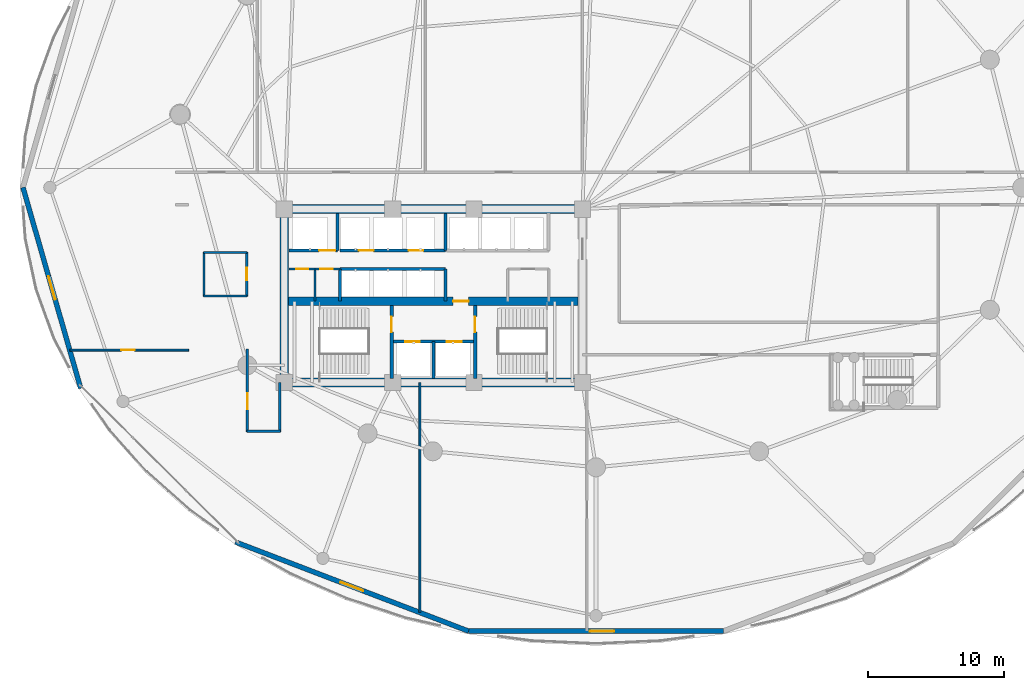
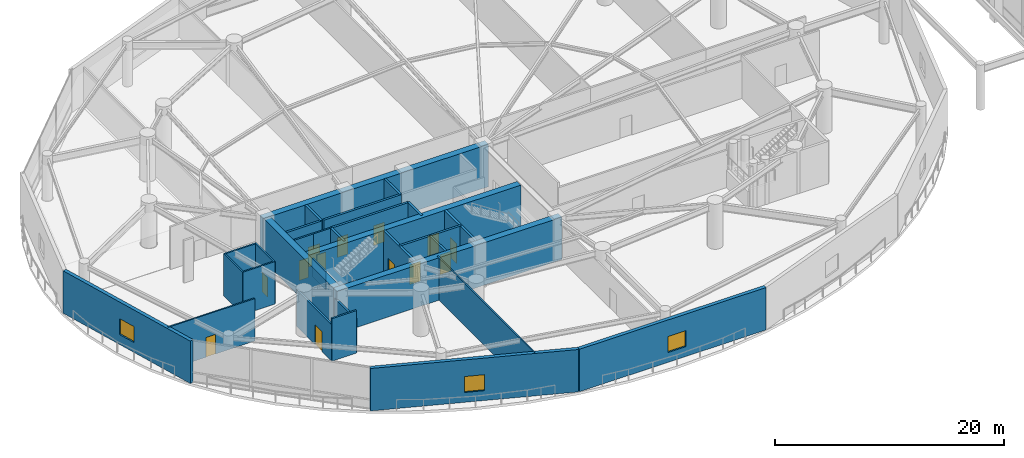
# One storey, part 27 of 40: 30 walls, 13 doors, 3 windows, 16 openings.
"""IFC4 building model written with IfcOpenShell, lengths in metres."""

from ifc_helpers import new_model, si_unit, direction, frame, frame_2d, origin, place, context, subcontext, project, spatial, rectangle, extrude, material, layer, layer_set, type_object, element, fill, save


model = new_model("IFC4")

# Units and contexts
model_context = context("Model", 3, precision=1e-05, world=origin(), true_north=direction((0.0, 1.0)))
body_context = subcontext(model_context, "Body", "Model", "MODEL_VIEW")
ifc_project = project(units=[si_unit("LENGTHUNIT", "METRE"), si_unit("AREAUNIT", "SQUARE_METRE"), si_unit("VOLUMEUNIT", "CUBIC_METRE"), si_unit("PLANEANGLEUNIT", "RADIAN"), si_unit("MASSUNIT", "GRAM", prefix="KILO")], contexts=[model_context])

# Site, building, storey
site_placement = place(None, origin())
site = spatial("IfcSite", under=ifc_project, at=site_placement, CompositionType="ELEMENT")
building_placement = place(site_placement, origin())
building = spatial("IfcBuilding", under=site, at=building_placement, Name="Kazevale Care Tower and Concert Hall", CompositionType="ELEMENT")
storey_placement = place(building_placement, frame((0.0, 0.0, 9.60009765625)))
storey = spatial("IfcBuildingStorey", under=building, at=storey_placement, Name="L02", CompositionType="ELEMENT", Elevation=9.60009765625)

# Wall, opening, door
ifc_material_1 = material(Name="Acoustic Gypsum on Steel Stud", Category="steel")
ifc_layer_1 = layer(ifc_material_1, 0.139892578125)
ifc_layer_set_1 = layer_set([ifc_layer_1], Name="Acoustic Gypsum on Steel Stud")
wall_type_1 = type_object("IfcWallType", Name="Acoustic Care & Suite Partition 140", PredefinedType="PARTITIONING", material=ifc_layer_set_1)
wall_1_placement = place(storey_placement, frame((6.1787109375, 26.0, 0.0), z_axis=(0.0, 0.0, 1.0), x_axis=(1.0, 0.0, 0.0)))
wall_1 = element("IfcWall", 1, at=wall_1_placement, inside=storey, type_object=wall_type_1, Name="wall:L02:auto_024", PredefinedType="PARTITIONING", context=body_context, shape_type="SweptSolid", body=[
    extrude(rectangle(XDim=8.76123046875, YDim=0.139892578125, at=frame_2d((4.380615234375, 0.0))), origin(), (0.0, 0.0, 1.0), 4.52001953125),
])
opening_1_placement = place(wall_1_placement, frame((3.800048828125, 0.0, 0.0)))
opening_1 = element("IfcOpeningElement", 2, at=opening_1_placement, cuts=wall_1, Name="Opening ID-1000", PredefinedType="OPENING", context=body_context, shape_type="SweptSolid", body=[
    extrude(rectangle(XDim=1.0, YDim=2.10009765625, at=frame_2d((0.5, 1.050048828125))), frame((0.0, 0.079833984375, 0.0), z_axis=(0.0, -1.0, 0.0), x_axis=(1.0, 0.0, 0.0)), (0.0, 0.0, 1.0), 0.159912109375),
])
ifc_material_2 = material(Name="Oak Timber Fire Leaf", Category="wood")
door_type_1 = type_object("IfcDoorType", Name="Suite & Room Door 1000x2100", OperationType="NOTDEFINED", PredefinedType="DOOR", material=ifc_material_2)
door_1_placement = place(opening_1_placement, origin())
door_1 = element("IfcDoor", 3, at=door_1_placement, inside=storey, type_object=door_type_1, Name="door:L02:ad_024", OperationType="SINGLE_SWING_LEFT", OverallHeight=2.10009765625, OverallWidth=1.0, PredefinedType="DOOR", context=body_context, shape_type="SweptSolid", body=[
    extrude(rectangle(XDim=1.0, YDim=2.10009765625, at=frame_2d((0.5, 1.050048828125))), frame((0.0, 0.02490234375, 0.0), z_axis=(0.0, -1.0, 0.0), x_axis=(1.0, 0.0, 0.0)), (0.0, 0.0, 1.0), 0.050048828125),
])
fill(opening_1, door_1)

# Walls
wall_2_placement = place(storey_placement, frame((32.0, 23.590087890625, 0.0), z_axis=(0.0, 0.0, 1.0), x_axis=(0.0, -1.0, 0.0)))
element("IfcWall", 4, at=wall_2_placement, inside=storey, type_object=wall_type_1, Name="wall:L02:auto_025", PredefinedType="PARTITIONING", context=body_context, shape_type="SweptSolid", body=[
    extrude(rectangle(XDim=16.9443359375, YDim=0.139892578125, at=frame_2d((8.47216796875, 0.0))), origin(), (0.0, 0.0, 1.0), 4.52001953125),
])
ifc_material_3 = material(Name="Concrete C70", Category="concrete")
ifc_layer_2 = layer(ifc_material_3, 0.64990234375)
ifc_layer_set_2 = layer_set([ifc_layer_2], Name="Concrete C70")
wall_type_2 = type_object("IfcWallType", Name="Core Shear Wall 650 C70", PredefinedType="SHEAR", material=ifc_layer_set_2)
for number, where, z_axis, x_axis, name in (
    (5, (21.675048828125, 23.60009765625, 0.0), (0.0, 0.0, 1.0), (1.0, 0.0, 0.0), "wall:L02:core:S"),
    (6, (21.675048828125, 36.39990234375, 0.0), (0.0, 0.0, 1.0), (1.0, 0.0, 0.0), "wall:L02:core:N"),
):
    element("IfcWall", number, at=place(storey_placement, frame(where, z_axis=z_axis, x_axis=x_axis)), inside=storey, type_object=wall_type_2, Name=name, PredefinedType="SHEAR", context=body_context, shape_type="SweptSolid", body=[
        extrude(rectangle(XDim=22.64990234375, YDim=0.64990234375, at=frame_2d((11.324951171875, 0.0))), origin(), (0.0, 0.0, 1.0), 4.52001953125),
    ])
wall_3_placement = place(storey_placement, frame((22.0, 23.925048828125, 0.0), z_axis=(0.0, 0.0, 1.0), x_axis=(0.0, 1.0, 0.0)))
element("IfcWall", 7, at=wall_3_placement, inside=storey, type_object=wall_type_2, Name="wall:L02:core:W", PredefinedType="SHEAR", context=body_context, shape_type="SweptSolid", body=[
    extrude(rectangle(XDim=12.14990234375, YDim=0.64990234375, at=frame_2d((6.074951171875, 0.0))), origin(), (0.0, 0.0, 1.0), 4.52001953125),
])

# Wall, opening, door
wall_4_placement = place(storey_placement, frame((22.324951171875, 29.60009765625, 0.0), z_axis=(0.0, 0.0, 1.0), x_axis=(1.0, 0.0, 0.0)))
wall_4 = element("IfcWall", 8, at=wall_4_placement, inside=storey, type_object=wall_type_2, Name="wall:L02:core:M", PredefinedType="SHEAR", context=body_context, shape_type="SweptSolid", body=[
    extrude(rectangle(XDim=21.35009765625, YDim=0.64990234375, at=frame_2d((10.675048828125, 0.0))), origin(), (0.0, 0.0, 1.0), 4.52001953125),
])
opening_2_placement = place(wall_4_placement, frame((12.125, 0.0, 0.0)))
opening_2 = element("IfcOpeningElement", 9, at=opening_2_placement, cuts=wall_4, Name="Opening FD-90", PredefinedType="OPENING", context=body_context, shape_type="SweptSolid", body=[
    extrude(rectangle(XDim=1.14990234375, YDim=2.10009765625, at=frame_2d((0.574951171875, 1.050048828125))), frame((0.0, 0.3349609375, 0.0), z_axis=(0.0, -1.0, 0.0), x_axis=(1.0, 0.0, 0.0)), (0.0, 0.0, 1.0), 0.669921875),
])
ifc_material_4 = material(Name="Steel ASTM A572 Gr 50", Category="steel")
door_type_2 = type_object("IfcDoorType", Name="Pressurized Stair & Lobby Fire Door 1150x2100", OperationType="NOTDEFINED", PredefinedType="DOOR", material=ifc_material_4)
door_2_placement = place(opening_2_placement, origin())
door_2 = element("IfcDoor", 10, at=door_2_placement, inside=storey, type_object=door_type_2, Name="door:L02:ff_to_pax", OperationType="SINGLE_SWING_LEFT", OverallHeight=2.10009765625, OverallWidth=1.14990234375, PredefinedType="DOOR", context=body_context, shape_type="SweptSolid", body=[
    extrude(rectangle(XDim=1.14990234375, YDim=2.10009765625, at=frame_2d((0.574951171875, 1.050048828125))), frame((0.0, 0.02490234375, 0.0), z_axis=(0.0, -1.0, 0.0), x_axis=(1.0, 0.0, 0.0)), (0.0, 0.0, 1.0), 0.050048828125),
])
fill(opening_2, door_2)

# Wall, openings, doors
ifc_material_5 = material(Name="Concrete C40", Category="concrete")
ifc_layer_3 = layer(ifc_material_5, 0.219970703125)
ifc_layer_set_3 = layer_set([ifc_layer_3], Name="Concrete C40")
wall_type_3 = type_object("IfcWallType", Name="Elevator Hoistway Shaft Wall 220", PredefinedType="SOLIDWALL", material=ifc_layer_set_3)
wall_5_placement = place(storey_placement, frame((29.919921875, 26.6201171875, 0.0), z_axis=(0.0, 0.0, 1.0), x_axis=(1.0, 0.0, 0.0)))
wall_5 = element("IfcWall", 11, at=wall_5_placement, inside=storey, type_object=wall_type_3, Name="wall:L02:c_ffl_n", PredefinedType="SOLIDWALL", context=body_context, shape_type="SweptSolid", body=[
    extrude(rectangle(XDim=6.16015625, YDim=0.219970703125, at=frame_2d((3.080078125, 0.0))), origin(), (0.0, 0.0, 1.0), 4.52001953125),
])
opening_3_placement = place(wall_5_placement, frame((0.989990234375, 0.0, 0.0)))
opening_3 = element("IfcOpeningElement", 12, at=opening_3_placement, cuts=wall_5, Name="Opening LD-FF", PredefinedType="OPENING", context=body_context, shape_type="SweptSolid", body=[
    extrude(rectangle(XDim=1.10009765625, YDim=2.10009765625, at=frame_2d((0.550048828125, 1.050048828125))), frame((0.0, 0.119873046875, 0.0), z_axis=(0.0, -1.0, 0.0), x_axis=(1.0, 0.0, 0.0)), (0.0, 0.0, 1.0), 0.239990234375),
])
opening_4_placement = place(wall_5_placement, frame((4.070068359375, 0.0, 0.0)))
opening_4 = element("IfcOpeningElement", 13, at=opening_4_placement, cuts=wall_5, Name="Opening LD-FF", PredefinedType="OPENING", context=body_context, shape_type="SweptSolid", body=[
    extrude(rectangle(XDim=1.10009765625, YDim=2.10009765625, at=frame_2d((0.550048828125, 1.050048828125))), frame((0.0, 0.119873046875, 0.0), z_axis=(0.0, -1.0, 0.0), x_axis=(1.0, 0.0, 0.0)), (0.0, 0.0, 1.0), 0.239990234375),
])
ifc_material_6 = material(Name="Stainless Steel 316", Category="steel")
door_type_3 = type_object("IfcDoorType", Name="Emergency Lift Sliding Landing Door 1100x2100", OperationType="NOTDEFINED", PredefinedType="DOOR", material=ifc_material_6)
door_3_placement = place(opening_3_placement, origin())
door_3 = element("IfcDoor", 14, at=door_3_placement, inside=storey, type_object=door_type_3, Name="door:L02:ld_ffl1", OperationType="SLIDING_TO_LEFT", OverallHeight=2.10009765625, OverallWidth=1.10009765625, PredefinedType="DOOR", context=body_context, shape_type="SweptSolid", body=[
    extrude(rectangle(XDim=1.10009765625, YDim=2.10009765625, at=frame_2d((0.550048828125, 1.050048828125))), frame((0.0, 0.02490234375, 0.0), z_axis=(0.0, -1.0, 0.0), x_axis=(1.0, 0.0, 0.0)), (0.0, 0.0, 1.0), 0.050048828125),
])
fill(opening_3, door_3)
door_4_placement = place(opening_4_placement, origin())
door_4 = element("IfcDoor", 15, at=door_4_placement, inside=storey, type_object=door_type_3, Name="door:L02:ld_ffl2", OperationType="SLIDING_TO_RIGHT", OverallHeight=2.10009765625, OverallWidth=1.10009765625, PredefinedType="DOOR", context=body_context, shape_type="SweptSolid", body=[
    extrude(rectangle(XDim=1.10009765625, YDim=2.10009765625, at=frame_2d((0.550048828125, 1.050048828125))), frame((0.0, 0.02490234375, 0.0), z_axis=(0.0, -1.0, 0.0), x_axis=(1.0, 0.0, 0.0)), (0.0, 0.0, 1.0), 0.050048828125),
])
fill(opening_4, door_4)

# Walls
wall_6_placement = place(storey_placement, frame((33.0, 23.89990234375, 0.0), z_axis=(0.0, 0.0, 1.0), x_axis=(0.0, 1.0, 0.0)))
element("IfcWall", 16, at=wall_6_placement, inside=storey, type_object=wall_type_3, Name="wall:L02:c_ffl_m", PredefinedType="SOLIDWALL", context=body_context, shape_type="SweptSolid", body=[
    extrude(rectangle(XDim=2.72021484375, YDim=0.219970703125, at=frame_2d((1.360107421875, 0.0))), origin(), (0.0, 0.0, 1.0), 4.52001953125),
])
wall_7_placement = place(storey_placement, frame((25.919921875, 33.35009765625, 0.0), z_axis=(0.0, 0.0, 1.0), x_axis=(0.0, 1.0, 0.0)))
element("IfcWall", 17, at=wall_7_placement, inside=storey, type_object=wall_type_3, Name="wall:L02:c_svl_e", PredefinedType="SOLIDWALL", context=body_context, shape_type="SweptSolid", body=[
    extrude(rectangle(XDim=2.72998046875, YDim=0.219970703125, at=frame_2d((1.364990234375, 0.0))), origin(), (0.0, 0.0, 1.0), 4.52001953125),
])

# Wall, opening, door
wall_8_placement = place(storey_placement, frame((22.35009765625, 33.35009765625, 0.0), z_axis=(0.0, 0.0, 1.0), x_axis=(1.0, 0.0, 0.0)))
wall_8 = element("IfcWall", 18, at=wall_8_placement, inside=storey, type_object=wall_type_3, Name="wall:L02:c_svl_s", PredefinedType="SOLIDWALL", context=body_context, shape_type="SweptSolid", body=[
    extrude(rectangle(XDim=3.56982421875, YDim=0.219970703125, at=frame_2d((1.784912109375, 0.0))), origin(), (0.0, 0.0, 1.0), 4.52001953125),
])
opening_5_placement = place(wall_8_placement, frame((2.212890625, 0.0, 0.0)))
opening_5 = element("IfcOpeningElement", 19, at=opening_5_placement, cuts=wall_8, Name="Opening LD-SV", PredefinedType="OPENING", context=body_context, shape_type="SweptSolid", body=[
    extrude(rectangle(XDim=1.199951171875, YDim=2.10009765625, at=frame_2d((0.60009765625, 1.050048828125))), frame((0.0, 0.119873046875, 0.0), z_axis=(0.0, -1.0, 0.0), x_axis=(1.0, 0.0, 0.0)), (0.0, 0.0, 1.0), 0.239990234375),
])
door_type_4 = type_object("IfcDoorType", Name="Service Lift Sliding Landing Door 1200x2100", OperationType="NOTDEFINED", PredefinedType="DOOR", material=ifc_material_6)
door_5_placement = place(opening_5_placement, origin())
door_5 = element("IfcDoor", 20, at=door_5_placement, inside=storey, type_object=door_type_4, Name="door:L02:ld_svl1", OperationType="SLIDING_TO_LEFT", OverallHeight=2.10009765625, OverallWidth=1.199951171875, PredefinedType="DOOR", context=body_context, shape_type="SweptSolid", body=[
    extrude(rectangle(XDim=1.199951171875, YDim=2.10009765625, at=frame_2d((0.60009765625, 1.050048828125))), frame((0.0, 0.02490234375, 0.0), z_axis=(0.0, -1.0, 0.0), x_axis=(1.0, 0.0, 0.0)), (0.0, 0.0, 1.0), 0.050048828125),
])
fill(opening_5, door_5)

# Walls
wall_9_placement = place(storey_placement, frame((26.10009765625, 29.6201171875, 0.0), z_axis=(0.0, 0.0, 1.0), x_axis=(0.0, 1.0, 0.0)))
element("IfcWall", 21, at=wall_9_placement, inside=storey, type_object=wall_type_3, Name="wall:L02:c_ph_w", PredefinedType="SOLIDWALL", context=body_context, shape_type="SweptSolid", body=[
    extrude(rectangle(XDim=2.35986328125, YDim=0.219970703125, at=frame_2d((1.179931640625, 0.0))), origin(), (0.0, 0.0, 1.0), 4.52001953125),
])
wall_10_placement = place(storey_placement, frame((26.10009765625, 31.97998046875, 0.0), z_axis=(0.0, 0.0, 1.0), x_axis=(1.0, 0.0, 0.0)))
element("IfcWall", 22, at=wall_10_placement, inside=storey, type_object=wall_type_3, Name="wall:L02:c_ph_n", PredefinedType="SOLIDWALL", context=body_context, shape_type="SweptSolid", body=[
    extrude(rectangle(XDim=7.7998046875, YDim=0.219970703125, at=frame_2d((3.89990234375, 0.0))), origin(), (0.0, 0.0, 1.0), 4.52001953125),
])
wall_11_placement = place(storey_placement, frame((33.89990234375, 29.6201171875, 0.0), z_axis=(0.0, 0.0, 1.0), x_axis=(0.0, 1.0, 0.0)))
element("IfcWall", 23, at=wall_11_placement, inside=storey, type_object=wall_type_3, Name="wall:L02:c_ph_e", PredefinedType="SOLIDWALL", context=body_context, shape_type="SweptSolid", body=[
    extrude(rectangle(XDim=2.35986328125, YDim=0.219970703125, at=frame_2d((1.179931640625, 0.0))), origin(), (0.0, 0.0, 1.0), 4.52001953125),
])

# Wall, openings, doors
wall_12_placement = place(storey_placement, frame((26.10009765625, 33.35009765625, 0.0), z_axis=(0.0, 0.0, 1.0), x_axis=(1.0, 0.0, 0.0)))
wall_12 = element("IfcWall", 24, at=wall_12_placement, inside=storey, type_object=wall_type_3, Name="wall:L02:c_pl_s", PredefinedType="SOLIDWALL", context=body_context, shape_type="SweptSolid", body=[
    extrude(rectangle(XDim=7.7998046875, YDim=0.219970703125, at=frame_2d((3.89990234375, 0.0))), origin(), (0.0, 0.0, 1.0), 4.52001953125),
])
opening_6_placement = place(wall_12_placement, frame((1.39990234375, 0.0, 0.0)))
opening_6 = element("IfcOpeningElement", 25, at=opening_6_placement, cuts=wall_12, Name="Opening LD-PAX", PredefinedType="OPENING", context=body_context, shape_type="SweptSolid", body=[
    extrude(rectangle(XDim=1.10009765625, YDim=2.10009765625, at=frame_2d((0.550048828125, 1.050048828125))), frame((0.0, 0.119873046875, 0.0), z_axis=(0.0, -1.0, 0.0), x_axis=(1.0, 0.0, 0.0)), (0.0, 0.0, 1.0), 0.239990234375),
])
opening_7_placement = place(wall_12_placement, frame((5.06591796875, 0.0, 0.0)))
opening_7 = element("IfcOpeningElement", 26, at=opening_7_placement, cuts=wall_12, Name="Opening LD-PAX", PredefinedType="OPENING", context=body_context, shape_type="SweptSolid", body=[
    extrude(rectangle(XDim=1.10009765625, YDim=2.10009765625, at=frame_2d((0.550048828125, 1.050048828125))), frame((0.0, 0.119873046875, 0.0), z_axis=(0.0, -1.0, 0.0), x_axis=(1.0, 0.0, 0.0)), (0.0, 0.0, 1.0), 0.239990234375),
])
door_type_5 = type_object("IfcDoorType", Name="Passenger Lift Sliding Landing Door 1100x2100", OperationType="NOTDEFINED", PredefinedType="DOOR", material=ifc_material_6)
door_6_placement = place(opening_6_placement, origin())
door_6 = element("IfcDoor", 27, at=door_6_placement, inside=storey, type_object=door_type_5, Name="door:L02:ld_pl1", OperationType="SLIDING_TO_LEFT", OverallHeight=2.10009765625, OverallWidth=1.10009765625, PredefinedType="DOOR", context=body_context, shape_type="SweptSolid", body=[
    extrude(rectangle(XDim=1.10009765625, YDim=2.10009765625, at=frame_2d((0.550048828125, 1.050048828125))), frame((0.0, 0.02490234375, 0.0), z_axis=(0.0, -1.0, 0.0), x_axis=(1.0, 0.0, 0.0)), (0.0, 0.0, 1.0), 0.050048828125),
])
fill(opening_6, door_6)
door_7_placement = place(opening_7_placement, origin())
door_7 = element("IfcDoor", 28, at=door_7_placement, inside=storey, type_object=door_type_5, Name="door:L02:ld_pl2", OperationType="SLIDING_TO_RIGHT", OverallHeight=2.10009765625, OverallWidth=1.10009765625, PredefinedType="DOOR", context=body_context, shape_type="SweptSolid", body=[
    extrude(rectangle(XDim=1.10009765625, YDim=2.10009765625, at=frame_2d((0.550048828125, 1.050048828125))), frame((0.0, 0.02490234375, 0.0), z_axis=(0.0, -1.0, 0.0), x_axis=(1.0, 0.0, 0.0)), (0.0, 0.0, 1.0), 0.050048828125),
])
fill(opening_7, door_7)

# Wall
wall_13_placement = place(storey_placement, frame((33.89990234375, 33.35009765625, 0.0), z_axis=(0.0, 0.0, 1.0), x_axis=(0.0, 1.0, 0.0)))
element("IfcWall", 29, at=wall_13_placement, inside=storey, type_object=wall_type_3, Name="wall:L02:c_pl_e", PredefinedType="SOLIDWALL", context=body_context, shape_type="SweptSolid", body=[
    extrude(rectangle(XDim=2.72998046875, YDim=0.219970703125, at=frame_2d((1.364990234375, 0.0))), origin(), (0.0, 0.0, 1.0), 4.52001953125),
])

# Wall, opening, door
ifc_material_7 = material(Name="Concrete C40 and Acoustic Gypsum", Category="concrete")
ifc_layer_4 = layer(ifc_material_7, 0.179931640625)
ifc_layer_set_4 = layer_set([ifc_layer_4], Name="Concrete C40 and Acoustic Gypsum")
wall_type_4 = type_object("IfcWallType", Name="Fire-Rated Corridor & Party Wall 180", PredefinedType="PARTITIONING", material=ifc_layer_set_4)
wall_14_placement = place(storey_placement, frame((22.35009765625, 31.97998046875, 0.0), z_axis=(0.0, 0.0, 1.0), x_axis=(1.0, 0.0, 0.0)))
wall_14 = element("IfcWall", 30, at=wall_14_placement, inside=storey, type_object=wall_type_4, Name="wall:L02:kb_wn0", PredefinedType="PARTITIONING", context=body_context, shape_type="SweptSolid", body=[
    extrude(rectangle(XDim=1.909912109375, YDim=0.179931640625, at=frame_2d((0.955078125, 0.0))), origin(), (0.0, 0.0, 1.0), 4.52001953125),
])
opening_8_placement = place(wall_14_placement, frame((0.514892578125, 0.0, 0.0)))
opening_8 = element("IfcOpeningElement", 31, at=opening_8_placement, cuts=wall_14, Name="Opening ID-900", PredefinedType="OPENING", context=body_context, shape_type="SweptSolid", body=[
    extrude(rectangle(XDim=0.919921875, YDim=2.10009765625, at=frame_2d((0.4599609375, 1.050048828125))), frame((0.0, 0.099853515625, 0.0), z_axis=(0.0, -1.0, 0.0), x_axis=(1.0, 0.0, 0.0)), (0.0, 0.0, 1.0), 0.199951171875),
])
door_type_6 = type_object("IfcDoorType", Name="Bathroom & Service Door 920x2100", OperationType="NOTDEFINED", PredefinedType="DOOR", material=ifc_material_2)
door_8_placement = place(opening_8_placement, origin())
door_8 = element("IfcDoor", 32, at=door_8_placement, inside=storey, type_object=door_type_6, Name="door:L02:d_kbw1", OperationType="SINGLE_SWING_LEFT", OverallHeight=2.10009765625, OverallWidth=0.919921875, PredefinedType="DOOR", context=body_context, shape_type="SweptSolid", body=[
    extrude(rectangle(XDim=0.919921875, YDim=2.10009765625, at=frame_2d((0.4599609375, 1.050048828125))), frame((0.0, 0.02490234375, 0.0), z_axis=(0.0, -1.0, 0.0), x_axis=(1.0, 0.0, 0.0)), (0.0, 0.0, 1.0), 0.050048828125),
])
fill(opening_8, door_8)

wall_15_placement = place(storey_placement, frame((19.27490234375, 19.969970703125, 0.0), z_axis=(0.0, 0.0, 1.0), x_axis=(0.0, 1.0, 0.0)))
wall_15 = element("IfcWall", 33, at=wall_15_placement, inside=storey, type_object=wall_type_4, Name="wall:L02:auto_013", PredefinedType="PARTITIONING", context=body_context, shape_type="SweptSolid", body=[
    extrude(rectangle(XDim=6.094970703125, YDim=0.179931640625, at=frame_2d((3.04736328125, 0.0))), origin(), (0.0, 0.0, 1.0), 3.89794921875),
])
opening_9_placement = place(wall_15_placement, frame((1.64697265625, 0.0, 0.0)))
opening_9 = element("IfcOpeningElement", 34, at=opening_9_placement, cuts=wall_15, Name="Opening ID-1200", PredefinedType="OPENING", context=body_context, shape_type="SweptSolid", body=[
    extrude(rectangle(XDim=1.199951171875, YDim=2.14990234375, at=frame_2d((0.60009765625, 1.074951171875))), frame((0.0, 0.099853515625, 0.0), z_axis=(0.0, -1.0, 0.0), x_axis=(1.0, 0.0, 0.0)), (0.0, 0.0, 1.0), 0.199951171875),
])
door_type_7 = type_object("IfcDoorType", Name="Clinical & Therapy Door 1200x2150", OperationType="NOTDEFINED", PredefinedType="DOOR", material=ifc_material_2)
door_9_placement = place(opening_9_placement, origin())
door_9 = element("IfcDoor", 35, at=door_9_placement, inside=storey, type_object=door_type_7, Name="door:L02:ad_013", OperationType="SINGLE_SWING_LEFT", OverallHeight=2.14990234375, OverallWidth=1.199951171875, PredefinedType="DOOR", context=body_context, shape_type="SweptSolid", body=[
    extrude(rectangle(XDim=1.199951171875, YDim=2.14990234375, at=frame_2d((0.60009765625, 1.074951171875))), frame((0.0, 0.02490234375, 0.0), z_axis=(0.0, -1.0, 0.0), x_axis=(1.0, 0.0, 0.0)), (0.0, 0.0, 1.0), 0.050048828125),
])
fill(opening_9, door_9)

# Walls
wall_16_placement = place(storey_placement, frame((21.675048828125, 23.590087890625, 0.0), z_axis=(0.0, 0.0, 1.0), x_axis=(0.0, -1.0, 0.0)))
element("IfcWall", 36, at=wall_16_placement, inside=storey, type_object=wall_type_4, Name="wall:L02:auto_014", PredefinedType="PARTITIONING", context=body_context, shape_type="SweptSolid", body=[
    extrude(rectangle(XDim=3.6201171875, YDim=0.179931640625, at=frame_2d((1.81005859375, 0.0))), origin(), (0.0, 0.0, 1.0), 3.659912109375),
])
wall_17_placement = place(storey_placement, frame((21.705078125, 20.0, 0.0), z_axis=(0.0, 0.0, 1.0), x_axis=(-1.0, 0.0, 0.0)))
element("IfcWall", 37, at=wall_17_placement, inside=storey, type_object=wall_type_4, Name="wall:L02:auto_015", PredefinedType="PARTITIONING", context=body_context, shape_type="SweptSolid", body=[
    extrude(rectangle(XDim=2.4599609375, YDim=0.179931640625, at=frame_2d((1.22998046875, 0.0))), origin(), (0.0, 0.0, 1.0), 4.52001953125),
])
ifc_layer_5 = layer(ifc_material_1, 0.159912109375)
ifc_layer_set_5 = layer_set([ifc_layer_5], Name="Acoustic Gypsum on Steel Stud")
wall_type_5 = type_object("IfcWallType", Name="Moisture-Resistant Bathroom Plumbing Wall 160", PredefinedType="PLUMBINGWALL", material=ifc_layer_set_5)
wall_18_placement = place(storey_placement, frame((24.260009765625, 29.6201171875, 0.0), z_axis=(0.0, 0.0, 1.0), x_axis=(0.0, 1.0, 0.0)))
element("IfcWall", 38, at=wall_18_placement, inside=storey, type_object=wall_type_5, Name="wall:L02:kb_we1", PredefinedType="PLUMBINGWALL", context=body_context, shape_type="SweptSolid", body=[
    extrude(rectangle(XDim=2.35986328125, YDim=0.159912109375, at=frame_2d((1.179931640625, 0.0))), origin(), (0.0, 0.0, 1.0), 1.886962890625),
])

# Wall, opening, door
wall_19_placement = place(storey_placement, frame((24.260009765625, 31.97998046875, 0.0), z_axis=(0.0, 0.0, 1.0), x_axis=(1.0, 0.0, 0.0)))
wall_19 = element("IfcWall", 39, at=wall_19_placement, inside=storey, type_object=wall_type_5, Name="wall:L02:kb_wn1", PredefinedType="PLUMBINGWALL", context=body_context, shape_type="SweptSolid", body=[
    extrude(rectangle(XDim=1.840087890625, YDim=0.159912109375, at=frame_2d((0.919921875, 0.0))), origin(), (0.0, 0.0, 1.0), 4.52001953125),
])
opening_10_placement = place(wall_19_placement, frame((0.387939453125, 0.0, 0.0)))
opening_10 = element("IfcOpeningElement", 40, at=opening_10_placement, cuts=wall_19, Name="Opening ID-900", PredefinedType="OPENING", context=body_context, shape_type="SweptSolid", body=[
    extrude(rectangle(XDim=0.919921875, YDim=2.10009765625, at=frame_2d((0.4599609375, 1.050048828125))), frame((0.0, 0.08984375, 0.0), z_axis=(0.0, -1.0, 0.0), x_axis=(1.0, 0.0, 0.0)), (0.0, 0.0, 1.0), 0.179931640625),
])
door_10_placement = place(opening_10_placement, origin())
door_10 = element("IfcDoor", 41, at=door_10_placement, inside=storey, type_object=door_type_6, Name="door:L02:d_kbw2", OperationType="SINGLE_SWING_RIGHT", OverallHeight=2.10009765625, OverallWidth=0.919921875, PredefinedType="DOOR", context=body_context, shape_type="SweptSolid", body=[
    extrude(rectangle(XDim=0.919921875, YDim=2.10009765625, at=frame_2d((0.4599609375, 1.050048828125))), frame((0.0, 0.02490234375, 0.0), z_axis=(0.0, -1.0, 0.0), x_axis=(1.0, 0.0, 0.0)), (0.0, 0.0, 1.0), 0.050048828125),
])
fill(opening_10, door_10)

# Walls
for number, where, z_axis, x_axis, name in (
    (42, (16.034912109375, 30.0, 0.0), (0.0, 0.0, 1.0), (1.0, 0.0, 0.0), "wall:L02:pod_sw_wc_ws"),
    (43, (16.034912109375, 33.199951171875, 0.0), (0.0, 0.0, 1.0), (1.0, 0.0, 0.0), "wall:L02:pod_sw_wc_wn"),
):
    element("IfcWall", number, at=place(storey_placement, frame(where, z_axis=z_axis, x_axis=x_axis)), inside=storey, type_object=wall_type_5, Name=name, PredefinedType="PLUMBINGWALL", context=body_context, shape_type="SweptSolid", body=[
        extrude(rectangle(XDim=3.22998046875, YDim=0.159912109375, at=frame_2d((1.614990234375, 0.0))), origin(), (0.0, 0.0, 1.0), 4.52001953125),
    ])
wall_20_placement = place(storey_placement, frame((16.074951171875, 29.9599609375, 0.0), z_axis=(0.0, 0.0, 1.0), x_axis=(0.0, 1.0, 0.0)))
element("IfcWall", 44, at=wall_20_placement, inside=storey, type_object=wall_type_5, Name="wall:L02:pod_sw_wc_ww", PredefinedType="PLUMBINGWALL", context=body_context, shape_type="SweptSolid", body=[
    extrude(rectangle(XDim=3.280029296875, YDim=0.159912109375, at=frame_2d((1.64013671875, 0.0))), origin(), (0.0, 0.0, 1.0), 4.52001953125),
])

# Wall, opening, door
wall_21_placement = place(storey_placement, frame((19.22509765625, 29.9599609375, 0.0), z_axis=(0.0, 0.0, 1.0), x_axis=(0.0, 1.0, 0.0)))
wall_21 = element("IfcWall", 45, at=wall_21_placement, inside=storey, type_object=wall_type_5, Name="wall:L02:pod_sw_wc_we", PredefinedType="PLUMBINGWALL", context=body_context, shape_type="SweptSolid", body=[
    extrude(rectangle(XDim=3.280029296875, YDim=0.159912109375, at=frame_2d((1.64013671875, 0.0))), origin(), (0.0, 0.0, 1.0), 4.52001953125),
])
opening_11_placement = place(wall_21_placement, frame((1.18994140625, 0.0, 0.0)))
opening_11 = element("IfcOpeningElement", 46, at=opening_11_placement, cuts=wall_21, Name="Opening ID-900", PredefinedType="OPENING", context=body_context, shape_type="SweptSolid", body=[
    extrude(rectangle(XDim=0.919921875, YDim=2.10009765625, at=frame_2d((0.4599609375, 1.050048828125))), frame((0.0, 0.08984375, 0.0), z_axis=(0.0, -1.0, 0.0), x_axis=(1.0, 0.0, 0.0)), (0.0, 0.0, 1.0), 0.179931640625),
])
door_11_placement = place(opening_11_placement, origin())
door_11 = element("IfcDoor", 47, at=door_11_placement, inside=storey, type_object=door_type_6, Name="door:L02:pod_sw_wc_d", OperationType="SINGLE_SWING_LEFT", OverallHeight=2.10009765625, OverallWidth=0.919921875, PredefinedType="DOOR", context=body_context, shape_type="SweptSolid", body=[
    extrude(rectangle(XDim=0.919921875, YDim=2.10009765625, at=frame_2d((0.4599609375, 1.050048828125))), frame((0.0, 0.02490234375, 0.0), z_axis=(0.0, -1.0, 0.0), x_axis=(1.0, 0.0, 0.0)), (0.0, 0.0, 1.0), 0.050048828125),
])
fill(opening_11, door_11)

# Wall, opening, window
ifc_material_8 = material(Name="Concrete C40 with Honed Limestone Cladding", Category="masonry")
ifc_layer_6 = layer(ifc_material_8, 0.360107421875)
ifc_layer_set_6 = layer_set([ifc_layer_6], Name="Concrete C40 with Honed Limestone Cladding")
wall_type_6 = type_object("IfcWallType", Name="Podium Insulated Limestone Wall 360", PredefinedType="STANDARD", material=ifc_layer_set_6)
wall_22_placement = place(storey_placement, frame((2.719970703125, 38.0, 0.0), z_axis=(0.0, 0.0, 1.0), x_axis=(0.276203409751, -0.961099202186, 0.0)))
wall_22 = element("IfcWall", 48, at=wall_22_placement, inside=storey, type_object=wall_type_6, Name="wall:L02:podew:08", PredefinedType="STANDARD", context=body_context, shape_type="SweptSolid", body=[
    extrude(rectangle(XDim=15.419921875, YDim=0.360107421875, at=frame_2d((7.7099609375, 0.0))), origin(), (0.0, 0.0, 1.0), 4.52001953125),
])
opening_12_placement = place(wall_22_placement, frame((6.81005859375, 0.0, 1.050048828125)))
opening_12 = element("IfcOpeningElement", 49, at=opening_12_placement, cuts=wall_22, Name="Opening WIN-2", PredefinedType="OPENING", context=body_context, shape_type="SweptSolid", body=[
    extrude(rectangle(XDim=1.800048828125, YDim=1.699951171875, at=frame_2d((0.89990234375, 0.85009765625))), frame((0.0, 0.18994140625, 0.0), z_axis=(0.0, -1.0, 0.0), x_axis=(1.0, 0.0, 0.0)), (0.0, 0.0, 1.0), 0.380126953125),
])
ifc_material_9 = material(Name="Low-E Laminated Glass", Category="glass")
window_type = type_object("IfcWindowType", Name="Clinical Punched Window 1800x1700", PartitioningType="DOUBLE_PANEL_VERTICAL", PredefinedType="WINDOW", material=ifc_material_9)
window_1_placement = place(opening_12_placement, origin())
window_1 = element("IfcWindow", 50, at=window_1_placement, inside=storey, type_object=window_type, Name="win:L02:pod:08", OverallHeight=1.699951171875, OverallWidth=1.800048828125, PartitioningType="SINGLE_PANEL", PredefinedType="WINDOW", context=body_context, shape_type="SweptSolid", body=[
    extrude(rectangle(XDim=1.800048828125, YDim=1.699951171875, at=frame_2d((0.89990234375, 0.85009765625))), frame((0.0, 0.030029296875, 0.0), z_axis=(0.0, -1.0, 0.0), x_axis=(1.0, 0.0, 0.0)), (0.0, 0.0, 1.0), 0.06005859375),
])
fill(opening_12, window_1)

wall_23_placement = place(storey_placement, frame((18.39599609375, 11.839111328125, 0.0), z_axis=(0.0, 0.0, 1.0), x_axis=(0.934012147289, -0.357241247221, 0.0)))
wall_23 = element("IfcWall", 51, at=wall_23_placement, inside=storey, type_object=wall_type_6, Name="wall:L02:podew:10", PredefinedType="STANDARD", context=body_context, shape_type="SweptSolid", body=[
    extrude(rectangle(XDim=18.410888671875, YDim=0.360107421875, at=frame_2d((9.20556640625, 0.0))), origin(), (0.0, 0.0, 1.0), 4.52001953125),
])
opening_13_placement = place(wall_23_placement, frame((8.304931640625, 0.0, 1.050048828125)))
opening_13 = element("IfcOpeningElement", 52, at=opening_13_placement, cuts=wall_23, Name="Opening WIN-2", PredefinedType="OPENING", context=body_context, shape_type="SweptSolid", body=[
    extrude(rectangle(XDim=1.800048828125, YDim=1.699951171875, at=frame_2d((0.89990234375, 0.85009765625))), frame((0.0, 0.18994140625, 0.0), z_axis=(0.0, -1.0, 0.0), x_axis=(1.0, 0.0, 0.0)), (0.0, 0.0, 1.0), 0.380126953125),
])
window_2_placement = place(opening_13_placement, origin())
window_2 = element("IfcWindow", 53, at=window_2_placement, inside=storey, type_object=window_type, Name="win:L02:pod:10", OverallHeight=1.699951171875, OverallWidth=1.800048828125, PartitioningType="SINGLE_PANEL", PredefinedType="WINDOW", context=body_context, shape_type="SweptSolid", body=[
    extrude(rectangle(XDim=1.800048828125, YDim=1.699951171875, at=frame_2d((0.89990234375, 0.85009765625))), frame((0.0, 0.030029296875, 0.0), z_axis=(0.0, -1.0, 0.0), x_axis=(1.0, 0.0, 0.0)), (0.0, 0.0, 1.0), 0.06005859375),
])
fill(opening_13, window_2)

wall_24_placement = place(storey_placement, frame((35.592041015625, 5.261962890625, 0.0), z_axis=(0.0, 0.0, 1.0), x_axis=(1.0, 0.0, 0.0)))
wall_24 = element("IfcWall", 54, at=wall_24_placement, inside=storey, type_object=wall_type_6, Name="wall:L02:podew:11", PredefinedType="STANDARD", context=body_context, shape_type="SweptSolid", body=[
    extrude(rectangle(XDim=18.81591796875, YDim=0.360107421875, at=frame_2d((9.407958984375, 0.0))), origin(), (0.0, 0.0, 1.0), 4.52001953125),
])
opening_14_placement = place(wall_24_placement, frame((8.947998046875, 0.0, 1.050048828125)))
opening_14 = element("IfcOpeningElement", 55, at=opening_14_placement, cuts=wall_24, Name="Opening WIN-2", PredefinedType="OPENING", context=body_context, shape_type="SweptSolid", body=[
    extrude(rectangle(XDim=1.800048828125, YDim=1.699951171875, at=frame_2d((0.89990234375, 0.85009765625))), frame((0.0, 0.18994140625, 0.0), z_axis=(0.0, -1.0, 0.0), x_axis=(1.0, 0.0, 0.0)), (0.0, 0.0, 1.0), 0.380126953125),
])
window_3_placement = place(opening_14_placement, origin())
window_3 = element("IfcWindow", 56, at=window_3_placement, inside=storey, type_object=window_type, Name="win:L02:pod:11", OverallHeight=1.699951171875, OverallWidth=1.800048828125, PartitioningType="SINGLE_PANEL", PredefinedType="WINDOW", context=body_context, shape_type="SweptSolid", body=[
    extrude(rectangle(XDim=1.800048828125, YDim=1.699951171875, at=frame_2d((0.89990234375, 0.85009765625))), frame((0.0, 0.030029296875, 0.0), z_axis=(0.0, -1.0, 0.0), x_axis=(1.0, 0.0, 0.0)), (0.0, 0.0, 1.0), 0.06005859375),
])
fill(opening_14, window_3)

# Wall, opening, door
ifc_layer_7 = layer(ifc_material_5, 0.25)
ifc_layer_set_7 = layer_set([ifc_layer_7], Name="Concrete C40")
wall_type_7 = type_object("IfcWallType", Name="Pressurized Stair Shaft Wall 250", PredefinedType="SOLIDWALL", material=ifc_layer_set_7)
wall_25_placement = place(storey_placement, frame((29.919921875, 23.89990234375, 0.0), z_axis=(0.0, 0.0, 1.0), x_axis=(0.0, 1.0, 0.0)))
wall_25 = element("IfcWall", 57, at=wall_25_placement, inside=storey, type_object=wall_type_7, Name="wall:L02:c_st1_e", PredefinedType="SOLIDWALL", context=body_context, shape_type="SweptSolid", body=[
    extrude(rectangle(XDim=5.400146484375, YDim=0.25, at=frame_2d((2.7001953125, 0.0))), origin(), (0.0, 0.0, 1.0), 4.52001953125),
])
opening_15_placement = place(wall_25_placement, frame((3.4208984375, 0.0, 0.0)))
opening_15 = element("IfcOpeningElement", 58, at=opening_15_placement, cuts=wall_25, Name="Opening FD-90", PredefinedType="OPENING", context=body_context, shape_type="SweptSolid", body=[
    extrude(rectangle(XDim=1.14990234375, YDim=2.10009765625, at=frame_2d((0.574951171875, 1.050048828125))), frame((0.0, 0.135009765625, 0.0), z_axis=(0.0, -1.0, 0.0), x_axis=(1.0, 0.0, 0.0)), (0.0, 0.0, 1.0), 0.27001953125),
])
door_12_placement = place(opening_15_placement, origin())
door_12 = element("IfcDoor", 59, at=door_12_placement, inside=storey, type_object=door_type_2, Name="door:L02:st1", OperationType="SINGLE_SWING_RIGHT", OverallHeight=2.10009765625, OverallWidth=1.14990234375, PredefinedType="DOOR", context=body_context, shape_type="SweptSolid", body=[
    extrude(rectangle(XDim=1.14990234375, YDim=2.10009765625, at=frame_2d((0.574951171875, 1.050048828125))), frame((0.0, 0.02490234375, 0.0), z_axis=(0.0, -1.0, 0.0), x_axis=(1.0, 0.0, 0.0)), (0.0, 0.0, 1.0), 0.050048828125),
])
fill(opening_15, door_12)

wall_26_placement = place(storey_placement, frame((36.080078125, 23.89990234375, 0.0), z_axis=(0.0, 0.0, 1.0), x_axis=(0.0, 1.0, 0.0)))
wall_26 = element("IfcWall", 60, at=wall_26_placement, inside=storey, type_object=wall_type_7, Name="wall:L02:c_st2_w", PredefinedType="SOLIDWALL", context=body_context, shape_type="SweptSolid", body=[
    extrude(rectangle(XDim=5.400146484375, YDim=0.25, at=frame_2d((2.7001953125, 0.0))), origin(), (0.0, 0.0, 1.0), 4.52001953125),
])
opening_16_placement = place(wall_26_placement, frame((3.4208984375, 0.0, 0.0)))
opening_16 = element("IfcOpeningElement", 61, at=opening_16_placement, cuts=wall_26, Name="Opening FD-90", PredefinedType="OPENING", context=body_context, shape_type="SweptSolid", body=[
    extrude(rectangle(XDim=1.14990234375, YDim=2.10009765625, at=frame_2d((0.574951171875, 1.050048828125))), frame((0.0, 0.135009765625, 0.0), z_axis=(0.0, -1.0, 0.0), x_axis=(1.0, 0.0, 0.0)), (0.0, 0.0, 1.0), 0.27001953125),
])
door_13_placement = place(opening_16_placement, origin())
door_13 = element("IfcDoor", 62, at=door_13_placement, inside=storey, type_object=door_type_2, Name="door:L02:st2", OperationType="SINGLE_SWING_LEFT", OverallHeight=2.10009765625, OverallWidth=1.14990234375, PredefinedType="DOOR", context=body_context, shape_type="SweptSolid", body=[
    extrude(rectangle(XDim=1.14990234375, YDim=2.10009765625, at=frame_2d((0.574951171875, 1.050048828125))), frame((0.0, 0.02490234375, 0.0), z_axis=(0.0, -1.0, 0.0), x_axis=(1.0, 0.0, 0.0)), (0.0, 0.0, 1.0), 0.050048828125),
])
fill(opening_16, door_13)

save(model, "model.ifc")
